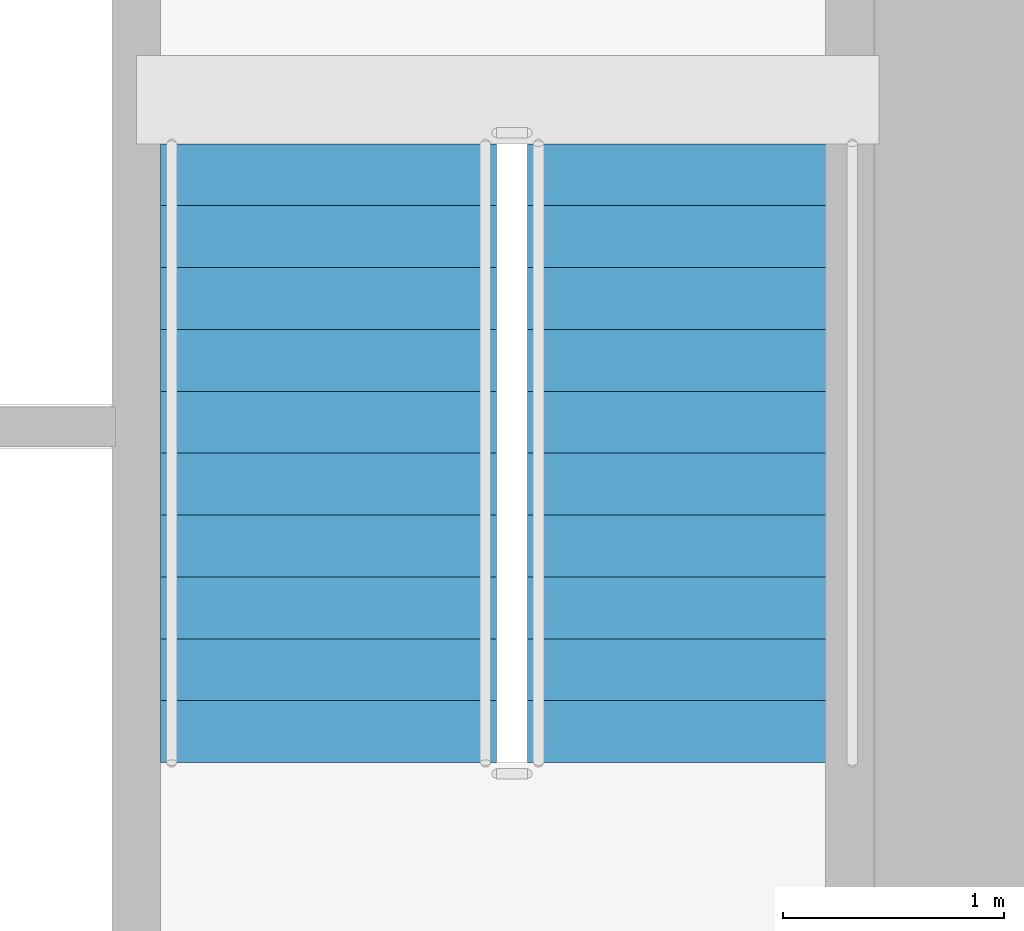
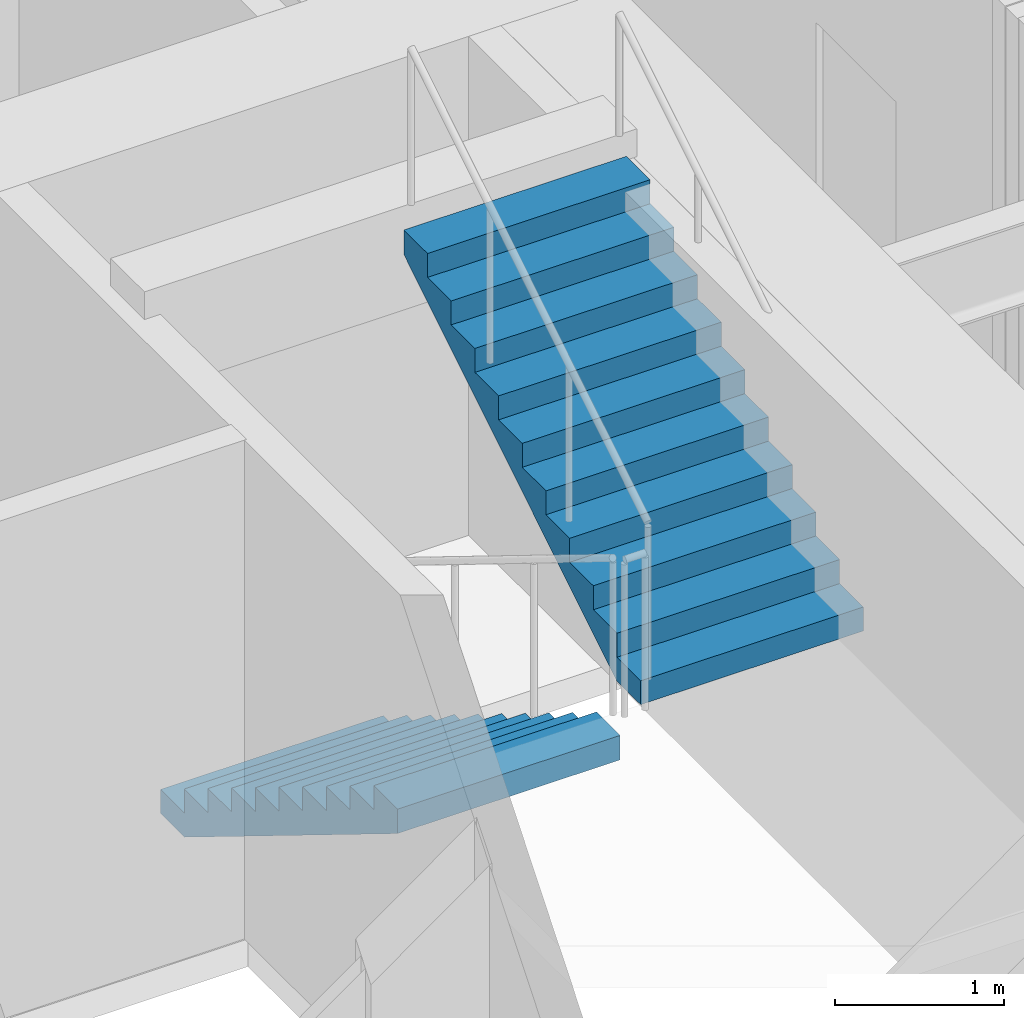
# One storey, part 13 of 16: 2 stair flights, 1 element without a shape of its own.
"""IFC4 building model written with IfcOpenShell, lengths in metres."""

from ifc_helpers import new_model, si_unit, direction, frame, origin, place, context, subcontext, project, spatial, polyline, outline, extrude, material, type_object, element, aggregate, save


model = new_model("IFC4")

# Units and contexts
model_context = context("Model", 3, precision=1e-05, world=origin(), true_north=direction((0.0, 1.0)))
body_context = subcontext(model_context, "Body", "Model", "MODEL_VIEW")
ifc_project = project(units=[si_unit("LENGTHUNIT", "METRE"), si_unit("AREAUNIT", "SQUARE_METRE"), si_unit("VOLUMEUNIT", "CUBIC_METRE"), si_unit("PLANEANGLEUNIT", "RADIAN"), si_unit("MASSUNIT", "GRAM", prefix="KILO")], contexts=[model_context])

# Site, building, storey
site_placement = place(None, origin())
site = spatial("IfcSite", under=ifc_project, at=site_placement, CompositionType="ELEMENT")
building_placement = place(site_placement, origin())
building = spatial("IfcBuilding", under=site, at=building_placement, Name="Haolan Belvedere Tower", CompositionType="ELEMENT")
storey_placement = place(building_placement, frame((0.0, 0.0, 74.199951171875)))
storey = spatial("IfcBuildingStorey", under=building, at=storey_placement, Name="L18", CompositionType="ELEMENT", Elevation=74.199951171875)

# Stair, stair flights
ifc_material = material(Name="Concrete C40/50", Category="concrete")
stair_type = type_object("IfcStairType", Name="STR-DL-22R-173", PredefinedType="HALF_TURN_STAIR", material=ifc_material)
stair_placement = place(storey_placement, origin())
stair = element("IfcStair", 1, at=stair_placement, inside=storey, type_object=stair_type, Name="L18 Smokeproof Core Exit Stair ST2", PredefinedType="HALF_TURN_STAIR")
stair_flight_type = type_object("IfcStairFlightType", Name="SFL-DL-11R-173", PredefinedType="STRAIGHT", material=ifc_material)
stair_flight_1_placement = place(storey_placement, frame((43.929931640625, 41.22998046875, 0.0), z_axis=(0.0, 0.0, 1.0), x_axis=(0.0, -1.0, 0.0)))
stair_flight_1 = element("IfcStairFlight", 2, at=stair_flight_1_placement, type_object=stair_flight_type, Name="ST2 flight 1", NumberOfRisers=11, NumberOfTreads=10, PredefinedType="STRAIGHT", RiserHeight=0.172727273, TreadLength=0.28, context=body_context, shape_type="SweptSolid", body=[
    extrude(outline(polyline([(0.0, 0.0), (0.0, 0.172607421875), (0.280029296875, 0.172607421875), (0.280029296875, 0.345458984375), (0.56005859375, 0.345458984375), (0.56005859375, 0.51806640625), (0.840087890625, 0.51806640625), (0.840087890625, 0.69091796875), (1.1201171875, 0.69091796875), (1.1201171875, 0.863525390625), (1.39990234375, 0.863525390625), (1.39990234375, 1.036376953125), (1.679931640625, 1.036376953125), (1.679931640625, 1.208984375), (1.9599609375, 1.208984375), (1.9599609375, 1.3818359375), (2.239990234375, 1.3818359375), (2.239990234375, 1.554443359375), (2.52001953125, 1.554443359375), (2.52001953125, 1.727294921875), (2.800048828125, 1.727294921875), (2.800048828125, 1.89990234375), (2.800048828125, 1.551025390625), (0.285400390625, 0.0), (0.0, 0.0)])), frame((0.0, 0.760009765625, 0.0), z_axis=(0.0, -1.0, 0.0), x_axis=(1.0, 0.0, 0.0)), (0.0, 0.0, 1.0), 1.52001953125),
])
stair_flight_2_placement = place(storey_placement, frame((45.590087890625, 38.429931640625, 1.900146484375), z_axis=(0.0, 0.0, 1.0), x_axis=(0.0, 1.0, 0.0)))
stair_flight_2 = element("IfcStairFlight", 3, at=stair_flight_2_placement, type_object=stair_flight_type, Name="ST2 flight 2", NumberOfRisers=11, NumberOfTreads=10, PredefinedType="STRAIGHT", RiserHeight=0.172727273, TreadLength=0.28, context=body_context, shape_type="SweptSolid", body=[
    extrude(outline(polyline([(0.0, 0.0), (0.0, 0.172607421875), (0.280029296875, 0.172607421875), (0.280029296875, 0.345458984375), (0.56005859375, 0.345458984375), (0.56005859375, 0.51806640625), (0.840087890625, 0.51806640625), (0.840087890625, 0.69091796875), (1.1201171875, 0.69091796875), (1.1201171875, 0.863525390625), (1.39990234375, 0.863525390625), (1.39990234375, 1.036376953125), (1.679931640625, 1.036376953125), (1.679931640625, 1.208984375), (1.9599609375, 1.208984375), (1.9599609375, 1.3818359375), (2.239990234375, 1.3818359375), (2.239990234375, 1.554443359375), (2.52001953125, 1.554443359375), (2.52001953125, 1.727294921875), (2.800048828125, 1.727294921875), (2.800048828125, 1.89990234375), (2.800048828125, 1.551025390625), (0.285400390625, 0.0), (0.0, 0.0)])), frame((0.0, 0.760009765625, 0.0), z_axis=(0.0, -1.0, 0.0), x_axis=(1.0, 0.0, 0.0)), (0.0, 0.0, 1.0), 1.52001953125),
])
aggregate(stair, [stair_flight_1, stair_flight_2])

save(model, "model.ifc")
